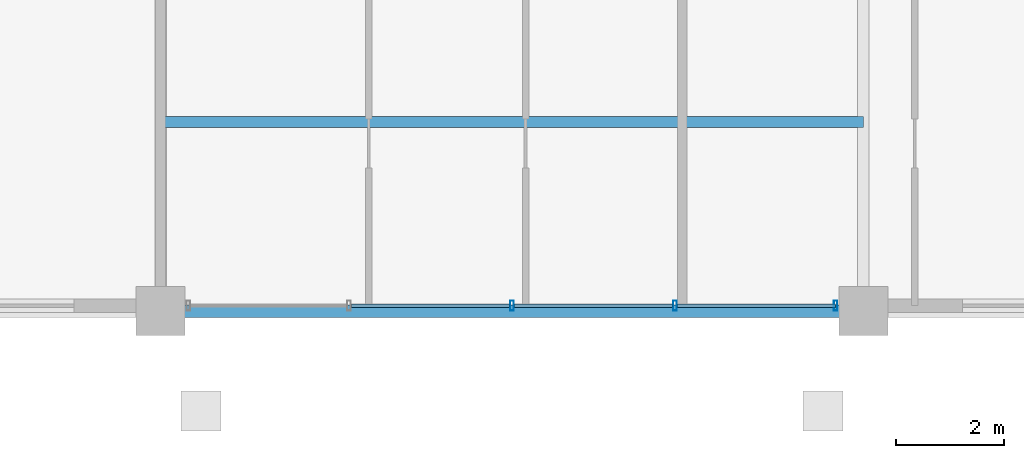
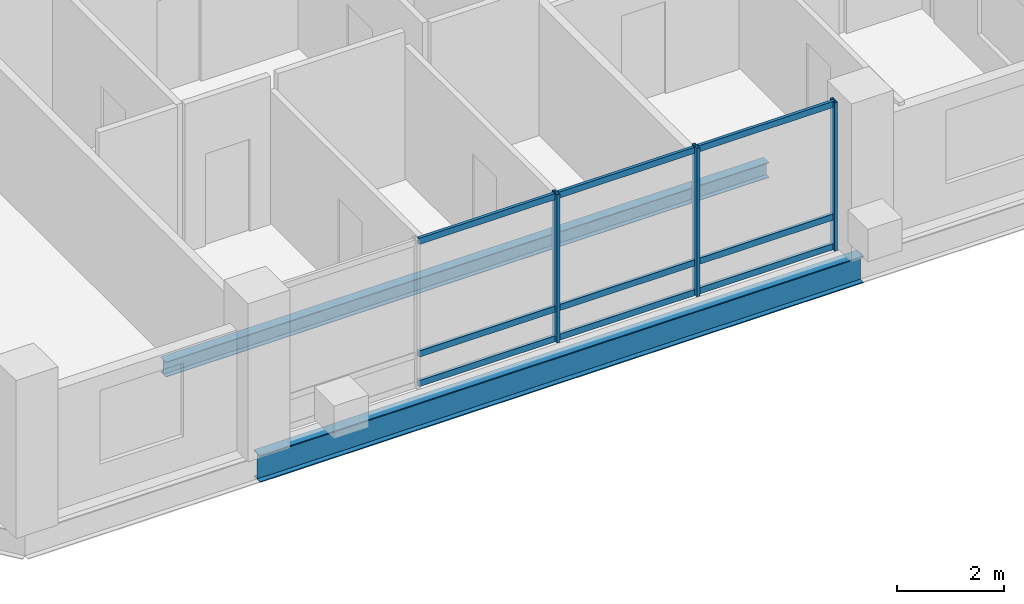
# One storey, part 4 of 21: 12 members, 2 beams, 1 element without a shape of its own.
"""IFC4 building model written with IfcOpenShell, lengths in metres."""

from ifc_helpers import new_model, si_unit, direction, frame, origin, origin_2d, place, context, subcontext, project, spatial, hollow_rectangle, i_section, extrude, material, layer, layer_set, material_profile, profile_set, type_object, element, aggregate, save


model = new_model("IFC4")

# Units and contexts
model_context = context("Model", 3, precision=1e-05, world=origin(), true_north=direction((0.0, 1.0)))
body_context = subcontext(model_context, "Body", "Model", "MODEL_VIEW")
ifc_project = project(units=[si_unit("LENGTHUNIT", "METRE"), si_unit("AREAUNIT", "SQUARE_METRE"), si_unit("VOLUMEUNIT", "CUBIC_METRE"), si_unit("PLANEANGLEUNIT", "RADIAN"), si_unit("MASSUNIT", "GRAM", prefix="KILO")], contexts=[model_context])

# Site, building, storey
site_placement = place(None, origin())
site = spatial("IfcSite", under=ifc_project, at=site_placement, CompositionType="ELEMENT")
building_placement = place(site_placement, origin())
building = spatial("IfcBuilding", under=site, at=building_placement, Name="Barlavira Tower and Art Museum", CompositionType="ELEMENT")
storey_placement = place(building_placement, frame((0.0, 0.0, 233.10009765625)))
storey = spatial("IfcBuildingStorey", under=building, at=storey_placement, Name="L60", CompositionType="ELEMENT", Elevation=233.10009765625)

# Curtain wall, members
ifc_material_1 = material(Name="Low-iron coastal laminated glass", Category="glass")
ifc_layer = layer(ifc_material_1, 0.2099609375, Name="Low-iron coastal laminated glass")
ifc_layer_set = layer_set([ifc_layer], Name="Low-iron coastal laminated glass")
curtain_wall_type = type_object("IfcCurtainWallType", Name="Pale-Metal Unitised Curtain Wall Zone 4", PredefinedType="NOTDEFINED", material=ifc_layer_set)
curtain_wall_placement = place(storey_placement, origin())
curtain_wall = element("IfcCurtainWall", 1, at=curtain_wall_placement, inside=storey, type_object=curtain_wall_type, Name="L60 Curtain Wall CW4-L60-S-B2", PredefinedType="NOTDEFINED")
ifc_material_2 = material(Name="Pale anodised aluminium", Category="aluminium")
ifc_material_profile_1 = material_profile(ifc_material_2, hollow_rectangle(XDim=0.06494140625, YDim=0.179931640625, WallThickness=0.00390625, at=origin_2d()), Name="ALU-MULL 65x180x4")
ifc_profile_set_1 = profile_set([ifc_material_profile_1], Name="Pale anodised aluminium")
member_type_1 = type_object("IfcMemberType", Name="Curtain Wall Pale-Metal Mullion 65x180", PredefinedType="MULLION", material=ifc_profile_set_1)
member_1_placement = place(storey_placement, frame((0.0, -19.89990234375, 0.0), z_axis=(0.0, 0.0, 1.0), x_axis=(1.0, 0.0, 0.0)))
member_1 = element("IfcMember", 2, at=member_1_placement, type_object=member_type_1, Name="CW4-L60-S-B2 Mullion 2", PredefinedType="MULLION", context=body_context, shape_type="SweptSolid", body=[
    extrude(hollow_rectangle(XDim=0.06494140625, YDim=0.179931640625, WallThickness=0.00390625, at=origin_2d()), origin(), (0.0, 0.0, 1.0), 3.3798828125),
])
member_2_placement = place(storey_placement, frame((3.014892578125, -19.89990234375, 0.0), z_axis=(0.0, 0.0, 1.0), x_axis=(1.0, 0.0, 0.0)))
member_2 = element("IfcMember", 3, at=member_2_placement, type_object=member_type_1, Name="CW4-L60-S-B2 Mullion 3", PredefinedType="MULLION", context=body_context, shape_type="SweptSolid", body=[
    extrude(hollow_rectangle(XDim=0.06494140625, YDim=0.179931640625, WallThickness=0.00390625, at=origin_2d()), origin(), (0.0, 0.0, 1.0), 3.3798828125),
])
member_3_placement = place(storey_placement, frame((5.985107421875, -19.89990234375, 0.0), z_axis=(0.0, 0.0, 1.0), x_axis=(1.0, 0.0, 0.0)))
member_3 = element("IfcMember", 4, at=member_3_placement, type_object=member_type_1, Name="CW4-L60-S-B2 Mullion 4", PredefinedType="MULLION", context=body_context, shape_type="SweptSolid", body=[
    extrude(hollow_rectangle(XDim=0.06494140625, YDim=0.179931640625, WallThickness=0.00390625, at=origin_2d()), origin(), (0.0, 0.0, 1.0), 3.3798828125),
])
ifc_material_profile_2 = material_profile(ifc_material_2, hollow_rectangle(XDim=0.06494140625, YDim=0.139892578125, WallThickness=0.00390625, at=origin_2d()), Name="ALU-TRAN 65x140x4")
ifc_profile_set_2 = profile_set([ifc_material_profile_2], Name="Pale anodised aluminium")
member_type_2 = type_object("IfcMemberType", Name="Curtain Wall Pale-Metal Transom 65x140", PredefinedType="USERDEFINED", material=ifc_profile_set_2)
member_4_placement = place(storey_placement, frame((-2.969970703125, -19.89990234375, 0.06982421875), z_axis=(1.0, 0.0, 0.0), x_axis=(0.0, 1.0, 0.0)))
member_4 = element("IfcMember", 5, at=member_4_placement, type_object=member_type_2, Name="CW4-L60-S-B2 Transom 1.1", ObjectType="TRANSOM", PredefinedType="USERDEFINED", context=body_context, shape_type="SweptSolid", body=[
    extrude(hollow_rectangle(XDim=0.06494140625, YDim=0.139892578125, WallThickness=0.00390625, at=origin_2d()), origin(), (0.0, 0.0, 1.0), 2.925048828125),
])
member_5_placement = place(storey_placement, frame((-2.969970703125, -19.89990234375, 0.743896484375), z_axis=(1.0, 0.0, 0.0), x_axis=(0.0, 1.0, 0.0)))
member_5 = element("IfcMember", 6, at=member_5_placement, type_object=member_type_2, Name="CW4-L60-S-B2 Transom 1.2", ObjectType="TRANSOM", PredefinedType="USERDEFINED", context=body_context, shape_type="SweptSolid", body=[
    extrude(hollow_rectangle(XDim=0.06494140625, YDim=0.139892578125, WallThickness=0.00390625, at=origin_2d()), origin(), (0.0, 0.0, 1.0), 2.925048828125),
])
member_6_placement = place(storey_placement, frame((-2.969970703125, -19.89990234375, 3.309814453125), z_axis=(1.0, 0.0, 0.0), x_axis=(0.0, 1.0, 0.0)))
member_6 = element("IfcMember", 7, at=member_6_placement, type_object=member_type_2, Name="CW4-L60-S-B2 Transom 1.3", ObjectType="TRANSOM", PredefinedType="USERDEFINED", context=body_context, shape_type="SweptSolid", body=[
    extrude(hollow_rectangle(XDim=0.06494140625, YDim=0.139892578125, WallThickness=0.00390625, at=origin_2d()), origin(), (0.0, 0.0, 1.0), 2.925048828125),
])
member_7_placement = place(storey_placement, frame((0.044921875, -19.89990234375, 0.06982421875), z_axis=(1.0, 0.0, 0.0), x_axis=(0.0, 1.0, 0.0)))
member_7 = element("IfcMember", 8, at=member_7_placement, type_object=member_type_2, Name="CW4-L60-S-B2 Transom 2.1", ObjectType="TRANSOM", PredefinedType="USERDEFINED", context=body_context, shape_type="SweptSolid", body=[
    extrude(hollow_rectangle(XDim=0.06494140625, YDim=0.139892578125, WallThickness=0.00390625, at=origin_2d()), origin(), (0.0, 0.0, 1.0), 2.925048828125),
])
member_8_placement = place(storey_placement, frame((0.044921875, -19.89990234375, 0.743896484375), z_axis=(1.0, 0.0, 0.0), x_axis=(0.0, 1.0, 0.0)))
member_8 = element("IfcMember", 9, at=member_8_placement, type_object=member_type_2, Name="CW4-L60-S-B2 Transom 2.2", ObjectType="TRANSOM", PredefinedType="USERDEFINED", context=body_context, shape_type="SweptSolid", body=[
    extrude(hollow_rectangle(XDim=0.06494140625, YDim=0.139892578125, WallThickness=0.00390625, at=origin_2d()), origin(), (0.0, 0.0, 1.0), 2.925048828125),
])
member_9_placement = place(storey_placement, frame((0.044921875, -19.89990234375, 3.309814453125), z_axis=(1.0, 0.0, 0.0), x_axis=(0.0, 1.0, 0.0)))
member_9 = element("IfcMember", 10, at=member_9_placement, type_object=member_type_2, Name="CW4-L60-S-B2 Transom 2.3", ObjectType="TRANSOM", PredefinedType="USERDEFINED", context=body_context, shape_type="SweptSolid", body=[
    extrude(hollow_rectangle(XDim=0.06494140625, YDim=0.139892578125, WallThickness=0.00390625, at=origin_2d()), origin(), (0.0, 0.0, 1.0), 2.925048828125),
])
member_10_placement = place(storey_placement, frame((3.06005859375, -19.89990234375, 0.06982421875), z_axis=(1.0, 0.0, 0.0), x_axis=(0.0, 1.0, 0.0)))
member_10 = element("IfcMember", 11, at=member_10_placement, type_object=member_type_2, Name="CW4-L60-S-B2 Transom 3.1", ObjectType="TRANSOM", PredefinedType="USERDEFINED", context=body_context, shape_type="SweptSolid", body=[
    extrude(hollow_rectangle(XDim=0.06494140625, YDim=0.139892578125, WallThickness=0.00390625, at=origin_2d()), origin(), (0.0, 0.0, 1.0), 2.925048828125),
])
member_11_placement = place(storey_placement, frame((3.06005859375, -19.89990234375, 0.743896484375), z_axis=(1.0, 0.0, 0.0), x_axis=(0.0, 1.0, 0.0)))
member_11 = element("IfcMember", 12, at=member_11_placement, type_object=member_type_2, Name="CW4-L60-S-B2 Transom 3.2", ObjectType="TRANSOM", PredefinedType="USERDEFINED", context=body_context, shape_type="SweptSolid", body=[
    extrude(hollow_rectangle(XDim=0.06494140625, YDim=0.139892578125, WallThickness=0.00390625, at=origin_2d()), origin(), (0.0, 0.0, 1.0), 2.925048828125),
])
member_12_placement = place(storey_placement, frame((3.06005859375, -19.89990234375, 3.309814453125), z_axis=(1.0, 0.0, 0.0), x_axis=(0.0, 1.0, 0.0)))
member_12 = element("IfcMember", 13, at=member_12_placement, type_object=member_type_2, Name="CW4-L60-S-B2 Transom 3.3", ObjectType="TRANSOM", PredefinedType="USERDEFINED", context=body_context, shape_type="SweptSolid", body=[
    extrude(hollow_rectangle(XDim=0.06494140625, YDim=0.139892578125, WallThickness=0.00390625, at=origin_2d()), origin(), (0.0, 0.0, 1.0), 2.925048828125),
])
aggregate(curtain_wall, [member_1, member_2, member_3, member_4, member_5, member_6, member_7, member_8, member_9, member_10, member_11, member_12])

# Beams
ifc_material_3 = material(Name="Steel S355", Category="steel")
ifc_material_profile_3 = material_profile(ifc_material_3, i_section(OverallWidth=0.22998046875, OverallDepth=0.616943359375, WebThickness=0.01318359375, FlangeThickness=0.022216796875, at=origin_2d()), Name="W610x140.0")
ifc_profile_set_3 = profile_set([ifc_material_profile_3], Name="Steel S355")
beam_type_1 = type_object("IfcBeamType", Name="Upper Shaft Spandrel Edge Beam W610x140 Steel S355", PredefinedType="SPANDREL", material=ifc_profile_set_3)
beam_1_placement = place(storey_placement, frame((-6.5, -20.0, -0.528564453125), z_axis=(1.0, 0.0, 0.0), x_axis=(0.0, 1.0, 0.0)))
element("IfcBeam", 14, at=beam_1_placement, inside=storey, type_object=beam_type_1, Name="L60 Spandrel 2", PredefinedType="SPANDREL", context=body_context, shape_type="SweptSolid", body=[
    extrude(i_section(OverallWidth=0.22998046875, OverallDepth=0.616943359375, WebThickness=0.01318359375, FlangeThickness=0.022216796875, at=origin_2d()), origin(), (0.0, 0.0, 1.0), 13.0),
])
ifc_material_profile_4 = material_profile(ifc_material_3, i_section(OverallWidth=0.202880859375, OverallDepth=0.346923828125, WebThickness=0.0078125, FlangeThickness=0.013427734375, at=origin_2d()), Name="W360x64.0")
ifc_profile_set_4 = profile_set([ifc_material_profile_4], Name="Steel S355")
beam_type_2 = type_object("IfcBeamType", Name="Zone 4 Composite Floor Joist W360x64 Steel S355", PredefinedType="JOIST", material=ifc_profile_set_4)
beam_2_placement = place(storey_placement, frame((-6.5, -16.5, -0.3935546875), z_axis=(1.0, 0.0, 0.0), x_axis=(0.0, 1.0, 0.0)))
element("IfcBeam", 15, at=beam_2_placement, inside=storey, type_object=beam_type_2, Name="L60 Joist C1", PredefinedType="JOIST", context=body_context, shape_type="SweptSolid", body=[
    extrude(i_section(OverallWidth=0.202880859375, OverallDepth=0.346923828125, WebThickness=0.0078125, FlangeThickness=0.013427734375, at=origin_2d()), origin(), (0.0, 0.0, 1.0), 13.0),
])

save(model, "model.ifc")
